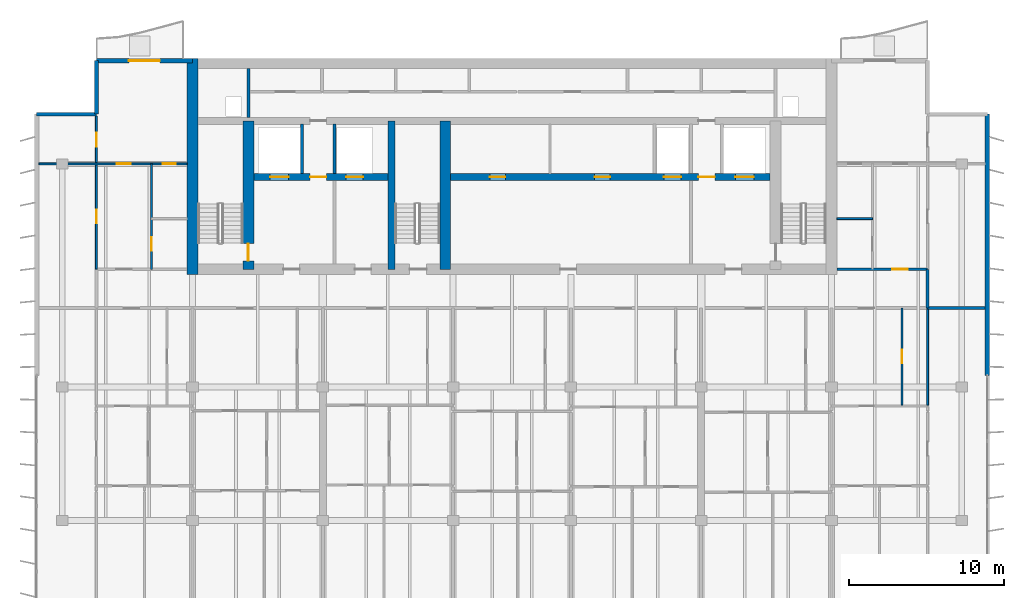
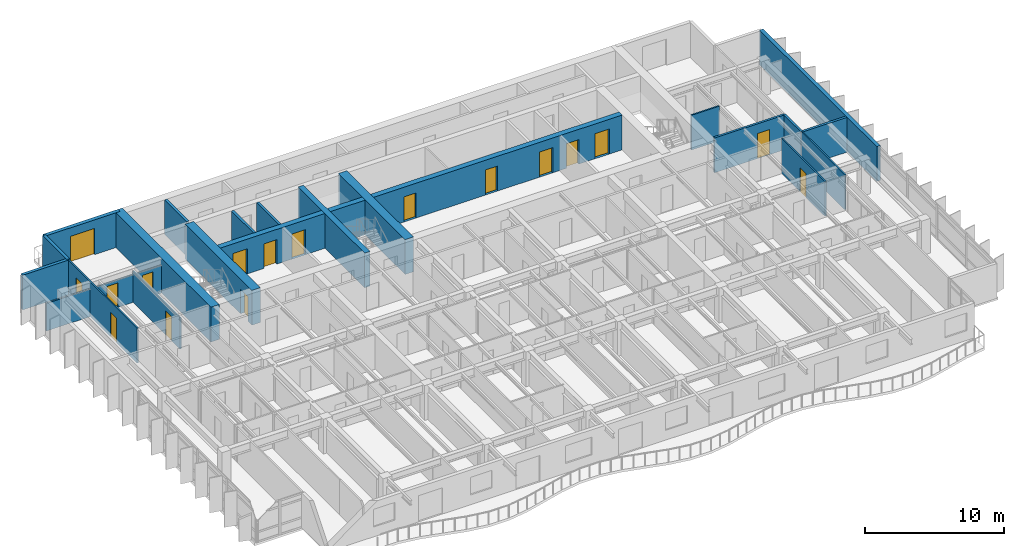
# One storey, part 10 of 17: 21 walls, 17 doors, 17 openings.
"""IFC4 building model written with IfcOpenShell, lengths in metres."""

import ifcopenshell
import ifcopenshell.guid

model = None  # the IFC model being written
_history = None  # IfcOwnerHistory: only IFC2X3 demands one
_inside = {}  # id of a spatial element -> (the spatial element, [elements in it])
_under = {}  # id of a project, library or spatial element -> (it, [spatial elements below it])
_declared = {}  # id of a project -> (the project, [libraries it declares])
_typed = {}  # id of a type object -> (the type object, [elements of that type])
_made_of = {}  # id of a material, layer set ... -> (it, [elements and type objects made of it])


def new_model(schema):
    """Start an empty IFC model of exactly this schema.

    Asked for "IFC4X3", IfcOpenShell would pick the latest addendum, in which some entities
    have other attributes; the version numbers below select the first issue.
    IFC2X3 requires an IfcOwnerHistory on every rooted entity: one is made here for all.
    """
    global model, _history
    if schema == "IFC4X3":
        model = ifcopenshell.file(schema_version=(4, 3, 0, 0))
    else:
        model = ifcopenshell.file(schema=schema)
    _inside.clear()
    _under.clear()
    _declared.clear()
    _typed.clear()
    _made_of.clear()
    _history = None
    if model.schema == "IFC2X3":
        org = make("IfcOrganization", Name="unknown")
        user = make(
            "IfcPersonAndOrganization",
            ThePerson=make("IfcPerson", FamilyName="unknown"),
            TheOrganization=org,
        )
        app = make(
            "IfcApplication",
            ApplicationDeveloper=org,
            Version="unknown",
            ApplicationFullName="unknown",
            ApplicationIdentifier="unknown",
        )
        _history = make(
            "IfcOwnerHistory",
            OwningUser=user,
            OwningApplication=app,
            ChangeAction="ADDED",
            CreationDate=0,
        )
    return model


def make(cls, **values):
    """One entity of the class cls with the attributes given. An attribute that is None is left unset."""
    return model.create_entity(
        cls, **{name: value for name, value in values.items() if value is not None}
    )


def rooted(cls, **values):
    """An entity with a GlobalId (a new one), such as an element, a storey or a relation."""
    return make(cls, GlobalId=ifcopenshell.guid.new(), OwnerHistory=_history, **values)


def si_unit(unit_type, name, prefix=None):
    """IfcSIUnit, for example si_unit("LENGTHUNIT", "METRE", prefix="MILLI")."""
    return make("IfcSIUnit", UnitType=unit_type, Prefix=prefix, Name=name)


def assignment(units):
    """IfcUnitAssignment: the units of a project."""
    return None if units is None else make("IfcUnitAssignment", Units=units)


def point(xyz):
    """IfcCartesianPoint."""
    return None if xyz is None else make("IfcCartesianPoint", Coordinates=xyz)


def direction(xyz):
    """IfcDirection."""
    return None if xyz is None else make("IfcDirection", DirectionRatios=xyz)


def frame(location, z_axis=None, x_axis=None):
    """IfcAxis2Placement3D, a coordinate frame: its origin and axes. An axis left out is left unset."""
    return make(
        "IfcAxis2Placement3D",
        Location=point(location),
        Axis=direction(z_axis),
        RefDirection=direction(x_axis),
    )


def frame_2d(location, x_axis=None):
    """IfcAxis2Placement2D, a coordinate frame in the plane: its origin and x axis."""
    return make(
        "IfcAxis2Placement2D", Location=point(location), RefDirection=direction(x_axis)
    )


def origin():
    """The frame at (0, 0, 0) with its axes left unset."""
    return frame((0.0, 0.0, 0.0))


def place(relative_to, where):
    """IfcLocalPlacement: puts the frame where relative to a parent placement (None: the world)."""
    return make(
        "IfcLocalPlacement", PlacementRelTo=relative_to, RelativePlacement=where
    )


def context(
    kind, dimensions, precision=None, world=None, true_north=None, identifier=None
):
    """IfcGeometricRepresentationContext, for example the 3D "Model" context."""
    return make(
        "IfcGeometricRepresentationContext",
        ContextIdentifier=identifier,
        ContextType=kind,
        CoordinateSpaceDimension=dimensions,
        Precision=precision,
        WorldCoordinateSystem=world,
        TrueNorth=true_north,
    )


def subcontext(parent, identifier, kind, view, scale=None):
    """IfcGeometricRepresentationSubContext, for example "Body" below "Model"."""
    return make(
        "IfcGeometricRepresentationSubContext",
        ContextIdentifier=identifier,
        ContextType=kind,
        ParentContext=parent,
        TargetScale=scale,
        TargetView=view,
    )


def project(units=None, contexts=None):
    """IfcProject with its units and contexts."""
    return rooted(
        "IfcProject",
        Name="project",
        RepresentationContexts=contexts,
        UnitsInContext=assignment(units),
    )


def spatial(cls, under=None, at=None, **own):
    """A site, building, storey or space (cls), placed at a placement, below another one or the project."""
    s = rooted(cls, ObjectPlacement=at, **own)
    if under is not None:
        _under.setdefault(under.id(), (under, []))[1].append(s)
    return s


def profile(cls, at=None, kind="AREA", **sizes):
    """A parametric profile (cls). Its sizes go by their IFC names, for example OverallWidth=200.0."""
    return make(cls, ProfileType=kind, Position=at, **sizes)


def rectangle(**sizes):
    """IfcRectangleProfileDef."""
    return profile("IfcRectangleProfileDef", **sizes)


def extrude(swept, where, along, depth):
    """IfcExtrudedAreaSolid: the profile swept, set in the frame where, extruded along a direction by depth."""
    return make(
        "IfcExtrudedAreaSolid",
        SweptArea=swept,
        Position=where,
        ExtrudedDirection=direction(along),
        Depth=depth,
    )


def shape(context_of_items, identifier, shape_type, items):
    """IfcShapeRepresentation: the items that make up one representation, for example the "Body"."""
    return make(
        "IfcShapeRepresentation",
        ContextOfItems=context_of_items,
        RepresentationIdentifier=identifier,
        RepresentationType=shape_type,
        Items=items,
    )


def material(Name=None, Category=None):
    """IfcMaterial."""
    return make("IfcMaterial", Name=Name, Category=Category)


def layer(
    of_material, thickness, ventilated=None, Name=None, Category=None, Priority=None
):
    """IfcMaterialLayer: one layer of a wall or slab, of a material (None: an air gap)."""
    return make(
        "IfcMaterialLayer",
        Material=of_material,
        LayerThickness=thickness,
        IsVentilated=ventilated,
        Name=Name,
        Category=Category,
        Priority=Priority,
    )


def layer_set(layers, Name=None):
    """IfcMaterialLayerSet."""
    return make("IfcMaterialLayerSet", MaterialLayers=layers, LayerSetName=Name)


def made_of(thing, what):
    """Note that an element or type object is made of a material, layer set ...; save() writes the relation."""
    if what is not None:
        _made_of.setdefault(what.id(), (what, []))[1].append(thing)
    return thing


def type_object(cls, material=None, **own):
    """A type object (cls), such as IfcWallType, which elements share."""
    return made_of(rooted(cls, **own), material)


def element(
    cls,
    number,
    at=None,
    inside=None,
    cuts=None,
    type_object=None,
    material=None,
    context=None,
    identifier="Body",
    shape_type=None,
    held_by="IfcProductDefinitionShape",
    body=None,
    shapes=None,
    **own,
):
    """One element of the class cls, such as IfcWall. Its Tag is "e" and its number.

    at: its placement. inside: the storey or other place that contains it. cuts: it is an
    opening in that element (IfcRelVoidsElement). A single representation is given by context,
    identifier, shape_type and body (its items); several are given by shapes. held_by: the class
    of the entity that holds the representations. save() writes the other relations.
    """
    e = rooted(cls, Tag="e%d" % number, ObjectPlacement=at, **own)
    if body is not None:
        shapes = [shape(context, identifier, shape_type, body)]
    if shapes is not None:
        e.Representation = make(held_by, Representations=shapes)
    if inside is not None:
        _inside.setdefault(inside.id(), (inside, []))[1].append(e)
    if cuts is not None:
        rooted(
            "IfcRelVoidsElement", RelatingBuildingElement=cuts, RelatedOpeningElement=e
        )
    if type_object is not None:
        _typed.setdefault(type_object.id(), (type_object, []))[1].append(e)
    return made_of(e, material)


def fill(opening, filler):
    """IfcRelFillsElement: the door or window that sits in an opening."""
    return rooted(
        "IfcRelFillsElement",
        RelatingOpeningElement=opening,
        RelatedBuildingElement=filler,
    )


def aggregate(whole, parts):
    """IfcRelAggregates: a whole, such as a stair, and the parts it consists of."""
    return rooted("IfcRelAggregates", RelatingObject=whole, RelatedObjects=parts)


def save(model, path):
    """Write the relations noted so far, then the file.

    IfcRelAggregates (storeys below a building ...), IfcRelContainedInSpatialStructure (elements
    in a storey), IfcRelDefinesByType, IfcRelAssociatesMaterial and IfcRelDeclares: one each for
    every whole, place, type object, material and project.
    """
    for whole, parts in _under.values():
        aggregate(whole, parts)
    for where, things in _inside.values():
        rooted(
            "IfcRelContainedInSpatialStructure",
            RelatedElements=things,
            RelatingStructure=where,
        )
    for kind, things in _typed.values():
        rooted("IfcRelDefinesByType", RelatedObjects=things, RelatingType=kind)
    for what, things in _made_of.values():
        rooted("IfcRelAssociatesMaterial", RelatedObjects=things, RelatingMaterial=what)
    for by, libraries in _declared.values():
        rooted("IfcRelDeclares", RelatingContext=by, RelatedDefinitions=libraries)
    model.write(path)


model = new_model("IFC4")

# Units and contexts
model_context = context("Model", 3, precision=1e-05, world=origin(), true_north=direction((0.0, 1.0)))
body_context = subcontext(model_context, "Body", "Model", "MODEL_VIEW")
ifc_project = project(units=[si_unit("LENGTHUNIT", "METRE"), si_unit("AREAUNIT", "SQUARE_METRE"), si_unit("VOLUMEUNIT", "CUBIC_METRE"), si_unit("PLANEANGLEUNIT", "RADIAN"), si_unit("MASSUNIT", "GRAM", prefix="KILO")], contexts=[model_context])

# Site, building, storey
site_placement = place(None, origin())
site = spatial("IfcSite", under=ifc_project, at=site_placement, CompositionType="ELEMENT")
building_placement = place(site_placement, origin())
building = spatial("IfcBuilding", under=site, at=building_placement, Name="Caelmar Bay Residences", CompositionType="ELEMENT")
storey_placement = place(building_placement, frame((0.0, 0.0, 229.800048828125)))
storey = spatial("IfcBuildingStorey", under=building, at=storey_placement, Name="L64", CompositionType="ELEMENT", Elevation=229.800048828125)

# Wall
ifc_material_1 = material(Name="Concrete f'c 55 MPa (8,000 psi)", Category="concrete")
ifc_layer_1 = layer(ifc_material_1, 0.699951171875)
ifc_layer_set_1 = layer_set([ifc_layer_1], Name="Concrete f'c 55 MPa (8,000 psi)")
wall_type_1 = type_object("IfcWallType", Name="SW-COR-700", PredefinedType="SHEAR", material=ifc_layer_set_1)
wall_1_placement = place(storey_placement, frame((18.300048828125, 36.64990234375, 0.0), z_axis=(0.0, 0.0, 1.0), x_axis=(0.0, 1.0, 0.0)))
element("IfcWall", 1, at=wall_1_placement, inside=storey, type_object=wall_type_1, Name="L64 Rear Core West Shear Wall", PredefinedType="SHEAR", context=body_context, shape_type="SweptSolid", body=[
    extrude(rectangle(XDim=13.9501953125, YDim=0.699951171875, at=frame_2d((6.97509765625, 0.0))), origin(), (0.0, 0.0, 1.0), 3.050048828125),
])

# Wall, opening, door
wall_2_placement = place(storey_placement, frame((21.89990234375, 37.0, 0.0), z_axis=(0.0, 0.0, 1.0), x_axis=(0.0, 1.0, 0.0)))
wall_2 = element("IfcWall", 2, at=wall_2_placement, inside=storey, type_object=wall_type_1, Name="L64 Core Structural Web Wall ST1E", PredefinedType="SHEAR", context=body_context, shape_type="SweptSolid", body=[
    extrude(rectangle(XDim=9.574951171875, YDim=0.699951171875, at=frame_2d((4.78759765625, 0.0))), origin(), (0.0, 0.0, 1.0), 3.050048828125),
])
opening_1_placement = place(wall_2_placement, frame((0.550048828125, 0.0, 0.0)))
opening_1 = element("IfcOpeningElement", 3, at=opening_1_placement, cuts=wall_2, Name="Opening D-L64-107", PredefinedType="OPENING", context=body_context, shape_type="SweptSolid", body=[
    extrude(rectangle(XDim=1.10009765625, YDim=2.14990234375, at=frame_2d((0.550048828125, 1.074951171875))), frame((0.0, 0.35986328125, 0.0), z_axis=(0.0, -1.0, 0.0), x_axis=(1.0, 0.0, 0.0)), (0.0, 0.0, 1.0), 0.719970703125),
])
ifc_material_2 = material(Name="Fire-rated steel and walnut architectural door assembly", Category="steel")
ifc_layer_2 = layer(ifc_material_2, 0.050048828125)
ifc_layer_set_2 = layer_set([ifc_layer_2], Name="Fire-rated steel and walnut architectural door assembly")
door_type_1 = type_object("IfcDoorType", Name="D-STAIR-1100", OperationType="NOTDEFINED", PredefinedType="DOOR", material=ifc_layer_set_2)
door_1_placement = place(opening_1_placement, origin())
door_1 = element("IfcDoor", 4, at=door_1_placement, inside=storey, type_object=door_type_1, Name="L64 Firefighting Lobby West Door", OperationType="SINGLE_SWING_RIGHT", OverallHeight=2.14990234375, OverallWidth=1.10009765625, PredefinedType="DOOR", context=body_context, shape_type="SweptSolid", body=[
    extrude(rectangle(XDim=1.10009765625, YDim=2.14990234375, at=frame_2d((0.550048828125, 1.074951171875))), frame((0.0, 0.02490234375, 0.0), z_axis=(0.0, -1.0, 0.0), x_axis=(1.0, 0.0, 0.0)), (0.0, 0.0, 1.0), 0.050048828125),
])
fill(opening_1, door_1)

# Walls
wall_3_placement = place(storey_placement, frame((34.60009765625, 37.0, 0.0), z_axis=(0.0, 0.0, 1.0), x_axis=(0.0, 1.0, 0.0)))
element("IfcWall", 5, at=wall_3_placement, inside=storey, type_object=wall_type_1, Name="L64 Core Structural Web Wall ST3E", PredefinedType="SHEAR", context=body_context, shape_type="SweptSolid", body=[
    extrude(rectangle(XDim=9.574951171875, YDim=0.699951171875, at=frame_2d((4.78759765625, 0.0))), origin(), (0.0, 0.0, 1.0), 3.050048828125),
])
ifc_material_3 = material(Name="Concrete f'c 70 MPa (10,000 psi)", Category="concrete")
ifc_layer_3 = layer(ifc_material_3, 0.449951171875)
ifc_layer_set_3 = layer_set([ifc_layer_3], Name="Concrete f'c 70 MPa (10,000 psi)")
wall_type_2 = type_object("IfcWallType", Name="SW-WEB-450", PredefinedType="SHEAR", material=ifc_layer_set_3)
wall_4_placement = place(storey_placement, frame((31.125, 37.0, 0.0), z_axis=(0.0, 0.0, 1.0), x_axis=(0.0, 1.0, 0.0)))
element("IfcWall", 6, at=wall_4_placement, inside=storey, type_object=wall_type_2, Name="L64 Core Structural Web Wall ST3W", PredefinedType="SHEAR", context=body_context, shape_type="SweptSolid", body=[
    extrude(rectangle(XDim=9.574951171875, YDim=0.449951171875, at=frame_2d((4.78759765625, 0.0))), origin(), (0.0, 0.0, 1.0), 3.050048828125),
])

# Wall, openings, doors
wall_5_placement = place(storey_placement, frame((22.25, 42.949951171875, 0.0), z_axis=(0.0, 0.0, 1.0), x_axis=(1.0, 0.0, 0.0)))
wall_5 = element("IfcWall", 7, at=wall_5_placement, inside=storey, type_object=wall_type_2, Name="L64 Core Structural Web Wall LFR", PredefinedType="SHEAR", context=body_context, shape_type="SweptSolid", body=[
    extrude(rectangle(XDim=33.300048828125, YDim=0.449951171875, at=frame_2d((16.64990234375, 0.0))), origin(), (0.0, 0.0, 1.0), 3.050048828125),
])
opening_2_placement = place(wall_5_placement, frame((1.050048828125, 0.0, 0.0)))
opening_2 = element("IfcOpeningElement", 8, at=opening_2_placement, cuts=wall_5, Name="Opening LD2", PredefinedType="OPENING", context=body_context, shape_type="SweptSolid", body=[
    extrude(rectangle(XDim=1.199951171875, YDim=2.199951171875, at=frame_2d((0.60009765625, 1.10009765625))), frame((0.0, 0.23486328125, 0.0), z_axis=(0.0, -1.0, 0.0), x_axis=(1.0, 0.0, 0.0)), (0.0, 0.0, 1.0), 0.469970703125),
])
opening_3_placement = place(wall_5_placement, frame((31.050048828125, 0.0, 0.0)))
opening_3 = element("IfcOpeningElement", 9, at=opening_3_placement, cuts=wall_5, Name="Opening LD2", PredefinedType="OPENING", context=body_context, shape_type="SweptSolid", body=[
    extrude(rectangle(XDim=1.199951171875, YDim=2.199951171875, at=frame_2d((0.60009765625, 1.10009765625))), frame((0.0, 0.23486328125, 0.0), z_axis=(0.0, -1.0, 0.0), x_axis=(1.0, 0.0, 0.0)), (0.0, 0.0, 1.0), 0.469970703125),
])
opening_4_placement = place(wall_5_placement, frame((26.449951171875, 0.0, 0.0)))
opening_4 = element("IfcOpeningElement", 10, at=opening_4_placement, cuts=wall_5, Name="Opening LD1", PredefinedType="OPENING", context=body_context, shape_type="SweptSolid", body=[
    extrude(rectangle(XDim=1.10009765625, YDim=2.199951171875, at=frame_2d((0.550048828125, 1.10009765625))), frame((0.0, 0.23486328125, 0.0), z_axis=(0.0, -1.0, 0.0), x_axis=(1.0, 0.0, 0.0)), (0.0, 0.0, 1.0), 0.469970703125),
])
opening_5_placement = place(wall_5_placement, frame((5.949951171875, 0.0, 0.0)))
opening_5 = element("IfcOpeningElement", 11, at=opening_5_placement, cuts=wall_5, Name="Opening LD1", PredefinedType="OPENING", context=body_context, shape_type="SweptSolid", body=[
    extrude(rectangle(XDim=1.10009765625, YDim=2.199951171875, at=frame_2d((0.550048828125, 1.10009765625))), frame((0.0, 0.23486328125, 0.0), z_axis=(0.0, -1.0, 0.0), x_axis=(1.0, 0.0, 0.0)), (0.0, 0.0, 1.0), 0.469970703125),
])
opening_6_placement = place(wall_5_placement, frame((3.625, 0.0, 0.0)))
opening_6 = element("IfcOpeningElement", 12, at=opening_6_placement, cuts=wall_5, Name="Opening D-L64-108", PredefinedType="OPENING", context=body_context, shape_type="SweptSolid", body=[
    extrude(rectangle(XDim=1.050048828125, YDim=2.14990234375, at=frame_2d((0.52490234375, 1.074951171875))), frame((0.0, 0.23486328125, 0.0), z_axis=(0.0, -1.0, 0.0), x_axis=(1.0, 0.0, 0.0)), (0.0, 0.0, 1.0), 0.469970703125),
])
opening_7_placement = place(wall_5_placement, frame((28.675048828125, 0.0, 0.0)))
opening_7 = element("IfcOpeningElement", 13, at=opening_7_placement, cuts=wall_5, Name="Opening D-L64-111", PredefinedType="OPENING", context=body_context, shape_type="SweptSolid", body=[
    extrude(rectangle(XDim=1.050048828125, YDim=2.14990234375, at=frame_2d((0.52490234375, 1.074951171875))), frame((0.0, 0.23486328125, 0.0), z_axis=(0.0, -1.0, 0.0), x_axis=(1.0, 0.0, 0.0)), (0.0, 0.0, 1.0), 0.469970703125),
])
opening_8_placement = place(wall_5_placement, frame((15.22509765625, 0.0, 0.0)))
opening_8 = element("IfcOpeningElement", 14, at=opening_8_placement, cuts=wall_5, Name="Opening D-L64-114", PredefinedType="OPENING", context=body_context, shape_type="SweptSolid", body=[
    extrude(rectangle(XDim=1.0, YDim=2.199951171875, at=frame_2d((0.5, 1.10009765625))), frame((0.0, 0.23486328125, 0.0), z_axis=(0.0, -1.0, 0.0), x_axis=(1.0, 0.0, 0.0)), (0.0, 0.0, 1.0), 0.469970703125),
])
opening_9_placement = place(wall_5_placement, frame((21.97509765625, 0.0, 0.0)))
opening_9 = element("IfcOpeningElement", 15, at=opening_9_placement, cuts=wall_5, Name="Opening D-L64-115", PredefinedType="OPENING", context=body_context, shape_type="SweptSolid", body=[
    extrude(rectangle(XDim=1.0, YDim=2.199951171875, at=frame_2d((0.5, 1.10009765625))), frame((0.0, 0.23486328125, 0.0), z_axis=(0.0, -1.0, 0.0), x_axis=(1.0, 0.0, 0.0)), (0.0, 0.0, 1.0), 0.469970703125),
])
ifc_layer_4 = layer(ifc_material_2, 0.050048828125)
ifc_layer_set_4 = layer_set([ifc_layer_4], Name="Fire-rated steel and walnut architectural door assembly")
door_type_2 = type_object("IfcDoorType", Name="D-FSAE-1050", OperationType="NOTDEFINED", PredefinedType="DOOR", material=ifc_layer_set_4)
door_2_placement = place(opening_6_placement, origin())
door_2 = element("IfcDoor", 16, at=door_2_placement, inside=storey, type_object=door_type_2, Name="L64 Firefighting Lobby West Door", OperationType="SINGLE_SWING_LEFT", OverallHeight=2.14990234375, OverallWidth=1.050048828125, PredefinedType="DOOR", context=body_context, shape_type="SweptSolid", body=[
    extrude(rectangle(XDim=1.050048828125, YDim=2.14990234375, at=frame_2d((0.52490234375, 1.074951171875))), frame((0.0, 0.02490234375, 0.0), z_axis=(0.0, -1.0, 0.0), x_axis=(1.0, 0.0, 0.0)), (0.0, 0.0, 1.0), 0.050048828125),
])
fill(opening_6, door_2)
door_3_placement = place(opening_7_placement, origin())
door_3 = element("IfcDoor", 17, at=door_3_placement, inside=storey, type_object=door_type_2, Name="L64 Firefighting Lobby East Door", OperationType="SINGLE_SWING_RIGHT", OverallHeight=2.14990234375, OverallWidth=1.050048828125, PredefinedType="DOOR", context=body_context, shape_type="SweptSolid", body=[
    extrude(rectangle(XDim=1.050048828125, YDim=2.14990234375, at=frame_2d((0.52490234375, 1.074951171875))), frame((0.0, 0.02490234375, 0.0), z_axis=(0.0, -1.0, 0.0), x_axis=(1.0, 0.0, 0.0)), (0.0, 0.0, 1.0), 0.050048828125),
])
fill(opening_7, door_3)
ifc_material_4 = material(Name="Brushed bronze stainless-steel fire-rated lift landing doors", Category="steel")
ifc_layer_5 = layer(ifc_material_4, 0.050048828125)
ifc_layer_set_5 = layer_set([ifc_layer_5], Name="Brushed bronze stainless-steel fire-rated lift landing doors")
door_type_3 = type_object("IfcDoorType", Name="D-LND-1100", OperationType="DOUBLE_DOOR_SLIDING", PredefinedType="DOOR", material=ifc_layer_set_5)
door_4_placement = place(opening_4_placement, origin())
door_4 = element("IfcDoor", 18, at=door_4_placement, inside=storey, type_object=door_type_3, Name="L64 LP6 Sliding Landing Door", OperationType="DOUBLE_DOOR_SLIDING", OverallHeight=2.199951171875, OverallWidth=1.10009765625, PredefinedType="DOOR", context=body_context, shape_type="SweptSolid", body=[
    extrude(rectangle(XDim=1.10009765625, YDim=2.199951171875, at=frame_2d((0.550048828125, 1.10009765625))), frame((0.0, 0.02490234375, 0.0), z_axis=(0.0, -1.0, 0.0), x_axis=(1.0, 0.0, 0.0)), (0.0, 0.0, 1.0), 0.050048828125),
])
fill(opening_4, door_4)
door_5_placement = place(opening_5_placement, origin())
door_5 = element("IfcDoor", 19, at=door_5_placement, inside=storey, type_object=door_type_3, Name="L64 LP7 Sliding Landing Door", OperationType="DOUBLE_DOOR_SLIDING", OverallHeight=2.199951171875, OverallWidth=1.10009765625, PredefinedType="DOOR", context=body_context, shape_type="SweptSolid", body=[
    extrude(rectangle(XDim=1.10009765625, YDim=2.199951171875, at=frame_2d((0.550048828125, 1.10009765625))), frame((0.0, 0.02490234375, 0.0), z_axis=(0.0, -1.0, 0.0), x_axis=(1.0, 0.0, 0.0)), (0.0, 0.0, 1.0), 0.050048828125),
])
fill(opening_5, door_5)
ifc_material_5 = material(Name="Brushed stainless-steel FSAE sliding landing door", Category="steel")
ifc_layer_6 = layer(ifc_material_5, 0.050048828125)
ifc_layer_set_6 = layer_set([ifc_layer_6], Name="Brushed stainless-steel FSAE sliding landing door")
door_type_4 = type_object("IfcDoorType", Name="D-LND-1200", OperationType="DOUBLE_DOOR_SLIDING", PredefinedType="DOOR", material=ifc_layer_set_6)
door_6_placement = place(opening_2_placement, origin())
door_6 = element("IfcDoor", 20, at=door_6_placement, inside=storey, type_object=door_type_4, Name="L64 LF1 Sliding Landing Door", OperationType="DOUBLE_DOOR_SLIDING", OverallHeight=2.199951171875, OverallWidth=1.199951171875, PredefinedType="DOOR", context=body_context, shape_type="SweptSolid", body=[
    extrude(rectangle(XDim=1.199951171875, YDim=2.199951171875, at=frame_2d((0.60009765625, 1.10009765625))), frame((0.0, 0.02490234375, 0.0), z_axis=(0.0, -1.0, 0.0), x_axis=(1.0, 0.0, 0.0)), (0.0, 0.0, 1.0), 0.050048828125),
])
fill(opening_2, door_6)
door_7_placement = place(opening_3_placement, origin())
door_7 = element("IfcDoor", 21, at=door_7_placement, inside=storey, type_object=door_type_4, Name="L64 LF2 Sliding Landing Door", OperationType="DOUBLE_DOOR_SLIDING", OverallHeight=2.199951171875, OverallWidth=1.199951171875, PredefinedType="DOOR", context=body_context, shape_type="SweptSolid", body=[
    extrude(rectangle(XDim=1.199951171875, YDim=2.199951171875, at=frame_2d((0.60009765625, 1.10009765625))), frame((0.0, 0.02490234375, 0.0), z_axis=(0.0, -1.0, 0.0), x_axis=(1.0, 0.0, 0.0)), (0.0, 0.0, 1.0), 0.050048828125),
])
fill(opening_3, door_7)
ifc_layer_7 = layer(ifc_material_2, 0.050048828125)
ifc_layer_set_7 = layer_set([ifc_layer_7], Name="Fire-rated steel and walnut architectural door assembly")
door_type_5 = type_object("IfcDoorType", Name="D-UNIT-1000", OperationType="NOTDEFINED", PredefinedType="DOOR", material=ifc_layer_set_7)
door_8_placement = place(opening_8_placement, origin())
door_8 = element("IfcDoor", 22, at=door_8_placement, inside=storey, type_object=door_type_5, Name="L64 Music Study Room Door", OperationType="SINGLE_SWING_LEFT", OverallHeight=2.199951171875, OverallWidth=1.0, PredefinedType="DOOR", context=body_context, shape_type="SweptSolid", body=[
    extrude(rectangle(XDim=1.0, YDim=2.199951171875, at=frame_2d((0.5, 1.10009765625))), frame((0.0, 0.02490234375, 0.0), z_axis=(0.0, -1.0, 0.0), x_axis=(1.0, 0.0, 0.0)), (0.0, 0.0, 1.0), 0.050048828125),
])
fill(opening_8, door_8)
door_9_placement = place(opening_9_placement, origin())
door_9 = element("IfcDoor", 23, at=door_9_placement, inside=storey, type_object=door_type_5, Name="L64 Board Meeting Room Door", OperationType="SINGLE_SWING_RIGHT", OverallHeight=2.199951171875, OverallWidth=1.0, PredefinedType="DOOR", context=body_context, shape_type="SweptSolid", body=[
    extrude(rectangle(XDim=1.0, YDim=2.199951171875, at=frame_2d((0.5, 1.10009765625))), frame((0.0, 0.02490234375, 0.0), z_axis=(0.0, -1.0, 0.0), x_axis=(1.0, 0.0, 0.0)), (0.0, 0.0, 1.0), 0.050048828125),
])
fill(opening_9, door_9)

# Wall
ifc_material_6 = material(Name="Double-stud acoustic fire-rated gypsum partition 180 mm")
ifc_layer_8 = layer(ifc_material_6, 0.179931640625)
ifc_layer_set_8 = layer_set([ifc_layer_8], Name="Double-stud acoustic fire-rated gypsum partition 180 mm")
wall_type_3 = type_object("IfcWallType", Name="W-COR-200", PredefinedType="PARTITIONING", material=ifc_layer_set_8)
wall_6_placement = place(storey_placement, frame((65.699951171875, 34.5048828125, 0.0), z_axis=(0.0, 0.0, 1.0), x_axis=(0.0, 1.0, 0.0)))
element("IfcWall", 24, at=wall_6_placement, inside=storey, type_object=wall_type_3, Name="L64 Partition Wall V100", PredefinedType="PARTITIONING", context=body_context, shape_type="SweptSolid", body=[
    extrude(rectangle(XDim=2.4951171875, YDim=0.179931640625, at=frame_2d((1.24755859375, 0.0))), origin(), (0.0, 0.0, 1.0), 3.050048828125),
])

# Wall, opening, door
wall_7_placement = place(storey_placement, frame((59.85498046875, 37.0, 0.0), z_axis=(0.0, 0.0, 1.0), x_axis=(1.0, 0.0, 0.0)))
wall_7 = element("IfcWall", 25, at=wall_7_placement, inside=storey, type_object=wall_type_3, Name="L64 Partition Wall H126", PredefinedType="PARTITIONING", context=body_context, shape_type="SweptSolid", body=[
    extrude(rectangle(XDim=5.844970703125, YDim=0.179931640625, at=frame_2d((2.92236328125, 0.0))), origin(), (0.0, 0.0, 1.0), 3.050048828125),
])
opening_10_placement = place(wall_7_placement, frame((3.570068359375, 0.0, 0.0)))
opening_10 = element("IfcOpeningElement", 26, at=opening_10_placement, cuts=wall_7, Name="Opening D-L64-175", PredefinedType="OPENING", context=body_context, shape_type="SweptSolid", body=[
    extrude(rectangle(XDim=1.0, YDim=2.199951171875, at=frame_2d((0.5, 1.10009765625))), frame((0.0, 0.099853515625, 0.0), z_axis=(0.0, -1.0, 0.0), x_axis=(1.0, 0.0, 0.0)), (0.0, 0.0, 1.0), 0.199951171875),
])
door_10_placement = place(opening_10_placement, origin())
door_10 = element("IfcDoor", 27, at=door_10_placement, inside=storey, type_object=door_type_5, Name="L64 Residence EA Kitchen Door", OperationType="SINGLE_SWING_RIGHT", OverallHeight=2.199951171875, OverallWidth=1.0, PredefinedType="DOOR", context=body_context, shape_type="SweptSolid", body=[
    extrude(rectangle(XDim=1.0, YDim=2.199951171875, at=frame_2d((0.5, 1.10009765625))), frame((0.0, 0.02490234375, 0.0), z_axis=(0.0, -1.0, 0.0), x_axis=(1.0, 0.0, 0.0)), (0.0, 0.0, 1.0), 0.050048828125),
])
fill(opening_10, door_10)

# Walls
ifc_material_7 = material(Name="Precast concrete f'c 40 MPa (6,000 psi)", Category="concrete")
ifc_layer_9 = layer(ifc_material_7, 0.25)
ifc_layer_set_9 = layer_set([ifc_layer_9], Name="Precast concrete f'c 40 MPa (6,000 psi)")
wall_type_4 = type_object("IfcWallType", Name="W-EXT-250", PredefinedType="ELEMENTEDWALL", material=ifc_layer_set_9)
wall_8_placement = place(storey_placement, frame((8.25, 47.0, 0.0), z_axis=(0.0, 0.0, 1.0), x_axis=(1.0, 0.0, 0.0)))
element("IfcWall", 28, at=wall_8_placement, inside=storey, type_object=wall_type_4, Name="L64 NNW-H Notch Wall", PredefinedType="ELEMENTEDWALL", context=body_context, shape_type="SweptSolid", body=[
    extrude(rectangle(XDim=3.85009765625, YDim=0.25, at=frame_2d((1.925048828125, 0.0))), origin(), (0.0, 0.0, 1.0), 3.050048828125),
])
wall_9_placement = place(storey_placement, frame((12.10009765625, 47.0, 0.0), z_axis=(0.0, 0.0, 1.0), x_axis=(0.0, 1.0, 0.0)))
element("IfcWall", 29, at=wall_9_placement, inside=storey, type_object=wall_type_4, Name="L64 NNW-V Notch Wall", PredefinedType="ELEMENTEDWALL", context=body_context, shape_type="SweptSolid", body=[
    extrude(rectangle(XDim=3.449951171875, YDim=0.25, at=frame_2d((1.72509765625, 0.0))), origin(), (0.0, 0.0, 1.0), 3.050048828125),
])
ifc_layer_10 = layer(ifc_material_7, 0.300048828125)
ifc_layer_set_10 = layer_set([ifc_layer_10], Name="Precast concrete f'c 40 MPa (6,000 psi)")
wall_type_5 = type_object("IfcWallType", Name="W-EXT-300", PredefinedType="STANDARD", material=ifc_layer_set_10)
wall_10_placement = place(storey_placement, frame((69.550048828125, 47.0, 0.0), z_axis=(0.0, 0.0, 1.0), x_axis=(0.0, -1.0, 0.0)))
element("IfcWall", 30, at=wall_10_placement, inside=storey, type_object=wall_type_5, Name="L64 East Rear Exterior Wall", PredefinedType="STANDARD", context=body_context, shape_type="SweptSolid", body=[
    extrude(rectangle(XDim=16.85009765625, YDim=0.300048828125, at=frame_2d((8.425048828125, 0.0))), origin(), (0.0, 0.0, 1.0), 3.050048828125),
])

# Wall, opening, door
wall_11_placement = place(storey_placement, frame((12.10009765625, 50.449951171875, 0.0), z_axis=(0.0, 0.0, 1.0), x_axis=(1.0, 0.0, 0.0)))
wall_11 = element("IfcWall", 31, at=wall_11_placement, inside=storey, type_object=wall_type_5, Name="L64 North-West Wing Exterior Wall", PredefinedType="STANDARD", context=body_context, shape_type="SweptSolid", body=[
    extrude(rectangle(XDim=6.199951171875, YDim=0.300048828125, at=frame_2d((3.10009765625, 0.0))), origin(), (0.0, 0.0, 1.0), 3.050048828125),
])
opening_11_placement = place(wall_11_placement, frame((2.10009765625, 0.0, 0.0)))
opening_11 = element("IfcOpeningElement", 32, at=opening_11_placement, cuts=wall_11, Name="Opening L64-BDNW", PredefinedType="OPENING", context=body_context, shape_type="SweptSolid", body=[
    extrude(rectangle(XDim=2.0, YDim=2.300048828125, at=frame_2d((1.0, 1.14990234375))), frame((0.0, 0.159912109375, 0.0), z_axis=(0.0, -1.0, 0.0), x_axis=(1.0, 0.0, 0.0)), (0.0, 0.0, 1.0), 0.320068359375),
])
ifc_material_8 = material(Name="Anodised bronze thermally broken sliding glass door", Category="glass")
ifc_layer_11 = layer(ifc_material_8, 0.050048828125)
ifc_layer_set_11 = layer_set([ifc_layer_11], Name="Anodised bronze thermally broken sliding glass door")
door_type_6 = type_object("IfcDoorType", Name="D-BAL-2000", OperationType="DOUBLE_DOOR_SLIDING", PredefinedType="DOOR", material=ifc_layer_set_11)
door_11_placement = place(opening_11_placement, origin())
door_11 = element("IfcDoor", 33, at=door_11_placement, inside=storey, type_object=door_type_6, Name="L64 North-West Balcony Door", OperationType="DOUBLE_DOOR_SLIDING", OverallHeight=2.300048828125, OverallWidth=2.0, PredefinedType="DOOR", context=body_context, shape_type="SweptSolid", body=[
    extrude(rectangle(XDim=2.0, YDim=2.300048828125, at=frame_2d((1.0, 1.14990234375))), frame((0.0, 0.02490234375, 0.0), z_axis=(0.0, -1.0, 0.0), x_axis=(1.0, 0.0, 0.0)), (0.0, 0.0, 1.0), 0.050048828125),
])
fill(opening_11, door_11)

# Walls
ifc_material_9 = material(Name="Fire-rated masonry and gypsum shaftliner assembly 200 mm", Category="masonry")
ifc_layer_12 = layer(ifc_material_9, 0.199951171875)
ifc_layer_set_12 = layer_set([ifc_layer_12], Name="Fire-rated masonry and gypsum shaftliner assembly 200 mm")
wall_type_6 = type_object("IfcWallType", Name="W-FSAE-200", PredefinedType="PARTITIONING", material=ifc_layer_set_12)
wall_12_placement = place(storey_placement, frame((21.89990234375, 46.794921875, 0.0), z_axis=(0.0, 0.0, 1.0), x_axis=(0.0, 1.0, 0.0)))
element("IfcWall", 34, at=wall_12_placement, inside=storey, type_object=wall_type_6, Name="L64 Partition Wall V021", PredefinedType="PARTITIONING", context=body_context, shape_type="SweptSolid", body=[
    extrude(rectangle(XDim=3.16015625, YDim=0.199951171875, at=frame_2d((1.580078125, 0.0))), origin(), (0.0, 0.0, 1.0), 3.050048828125),
])
for number, where, z_axis, x_axis, name in (
    (35, (25.35009765625, 43.169921875, 0.0), (0.0, 0.0, 1.0), (0.0, 1.0, 0.0), "L64 Partition Wall V028"),
    (36, (27.449951171875, 43.169921875, 0.0), (0.0, 0.0, 1.0), (0.0, 1.0, 0.0), "L64 Partition Wall V034"),
):
    element("IfcWall", number, at=place(storey_placement, frame(where, z_axis=z_axis, x_axis=x_axis)), inside=storey, type_object=wall_type_6, Name=name, PredefinedType="PARTITIONING", context=body_context, shape_type="SweptSolid", body=[
        extrude(rectangle(XDim=3.18505859375, YDim=0.199951171875, at=frame_2d((1.592529296875, 0.0))), origin(), (0.0, 0.0, 1.0), 3.050048828125),
    ])

# Wall, openings, doors
ifc_material_10 = material(Name="Acoustic metal-stud gypsum partition 120 mm")
ifc_layer_13 = layer(ifc_material_10, 0.1201171875)
ifc_layer_set_13 = layer_set([ifc_layer_13], Name="Acoustic metal-stud gypsum partition 120 mm")
wall_type_7 = type_object("IfcWallType", Name="W-PRT-120", PredefinedType="PARTITIONING", material=ifc_layer_set_13)
wall_13_placement = place(storey_placement, frame((12.10009765625, 37.0048828125, 0.0), z_axis=(0.0, 0.0, 1.0), x_axis=(0.0, 1.0, 0.0)))
wall_13 = element("IfcWall", 37, at=wall_13_placement, inside=storey, type_object=wall_type_7, Name="L64 Partition Wall V007", PredefinedType="PARTITIONING", context=body_context, shape_type="SweptSolid", body=[
    extrude(rectangle(XDim=9.875, YDim=0.1201171875, at=frame_2d((4.9375, 0.0))), origin(), (0.0, 0.0, 1.0), 3.050048828125),
])
opening_12_placement = place(wall_13_placement, frame((2.947509765625, 0.0, 0.0)))
opening_12 = element("IfcOpeningElement", 38, at=opening_12_placement, cuts=wall_13, Name="Opening D-L64-173", PredefinedType="OPENING", context=body_context, shape_type="SweptSolid", body=[
    extrude(rectangle(XDim=0.89990234375, YDim=2.14990234375, at=frame_2d((0.449951171875, 1.074951171875))), frame((0.0, 0.070068359375, 0.0), z_axis=(0.0, -1.0, 0.0), x_axis=(1.0, 0.0, 0.0)), (0.0, 0.0, 1.0), 0.14013671875),
])
opening_13_placement = place(wall_13_placement, frame((7.885009765625, 0.0, 0.0)))
opening_13 = element("IfcOpeningElement", 39, at=opening_13_placement, cuts=wall_13, Name="Opening D-L64-174", PredefinedType="OPENING", context=body_context, shape_type="SweptSolid", body=[
    extrude(rectangle(XDim=0.89990234375, YDim=2.14990234375, at=frame_2d((0.449951171875, 1.074951171875))), frame((0.0, 0.070068359375, 0.0), z_axis=(0.0, -1.0, 0.0), x_axis=(1.0, 0.0, 0.0)), (0.0, 0.0, 1.0), 0.14013671875),
])
ifc_material_11 = material(Name="Solid walnut timber interior door leaf and frame", Category="wood")
ifc_layer_14 = layer(ifc_material_11, 0.050048828125)
ifc_layer_set_14 = layer_set([ifc_layer_14], Name="Solid walnut timber interior door leaf and frame")
door_type_7 = type_object("IfcDoorType", Name="D-ROOM-900", OperationType="NOTDEFINED", PredefinedType="DOOR", material=ifc_layer_set_14)
door_12_placement = place(opening_12_placement, origin())
door_12 = element("IfcDoor", 40, at=door_12_placement, inside=storey, type_object=door_type_7, Name="L64 Residence WA Sun Study Door", OperationType="SINGLE_SWING_RIGHT", OverallHeight=2.14990234375, OverallWidth=0.89990234375, PredefinedType="DOOR", context=body_context, shape_type="SweptSolid", body=[
    extrude(rectangle(XDim=0.89990234375, YDim=2.14990234375, at=frame_2d((0.449951171875, 1.074951171875))), frame((0.0, 0.02490234375, 0.0), z_axis=(0.0, -1.0, 0.0), x_axis=(1.0, 0.0, 0.0)), (0.0, 0.0, 1.0), 0.050048828125),
])
fill(opening_12, door_12)
door_13_placement = place(opening_13_placement, origin())
door_13 = element("IfcDoor", 41, at=door_13_placement, inside=storey, type_object=door_type_7, Name="L64 Residence WA North Sitting Alcove Door", OperationType="SINGLE_SWING_LEFT", OverallHeight=2.14990234375, OverallWidth=0.89990234375, PredefinedType="DOOR", context=body_context, shape_type="SweptSolid", body=[
    extrude(rectangle(XDim=0.89990234375, YDim=2.14990234375, at=frame_2d((0.449951171875, 1.074951171875))), frame((0.0, 0.02490234375, 0.0), z_axis=(0.0, -1.0, 0.0), x_axis=(1.0, 0.0, 0.0)), (0.0, 0.0, 1.0), 0.050048828125),
])
fill(opening_13, door_13)

# Wall, opening, door
wall_14_placement = place(storey_placement, frame((15.64990234375, 37.0, 0.0), z_axis=(0.0, 0.0, 1.0), x_axis=(0.0, 1.0, 0.0)))
wall_14 = element("IfcWall", 42, at=wall_14_placement, inside=storey, type_object=wall_type_7, Name="L64 Partition Wall V013", PredefinedType="PARTITIONING", context=body_context, shape_type="SweptSolid", body=[
    extrude(rectangle(XDim=6.800048828125, YDim=0.1201171875, at=frame_2d((3.39990234375, 0.0))), origin(), (0.0, 0.0, 1.0), 2.724853515625),
])
opening_14_placement = place(wall_14_placement, frame((1.20703125, 0.0, 0.0)))
opening_14 = element("IfcOpeningElement", 43, at=opening_14_placement, cuts=wall_14, Name="Opening D-L64-171", PredefinedType="OPENING", context=body_context, shape_type="SweptSolid", body=[
    extrude(rectangle(XDim=0.85009765625, YDim=2.10009765625, at=frame_2d((0.425048828125, 1.050048828125))), frame((0.0, 0.070068359375, 0.0), z_axis=(0.0, -1.0, 0.0), x_axis=(1.0, 0.0, 0.0)), (0.0, 0.0, 1.0), 0.14013671875),
])
ifc_layer_15 = layer(ifc_material_11, 0.050048828125)
ifc_layer_set_15 = layer_set([ifc_layer_15], Name="Solid walnut timber interior door leaf and frame")
door_type_8 = type_object("IfcDoorType", Name="D-BATH-850", OperationType="NOTDEFINED", PredefinedType="DOOR", material=ifc_layer_set_15)
door_14_placement = place(opening_14_placement, origin())
door_14 = element("IfcDoor", 44, at=door_14_placement, inside=storey, type_object=door_type_8, Name="L64 Residence WA Walk-In Closet Door", OperationType="SINGLE_SWING_RIGHT", OverallHeight=2.10009765625, OverallWidth=0.85009765625, PredefinedType="DOOR", context=body_context, shape_type="SweptSolid", body=[
    extrude(rectangle(XDim=0.85009765625, YDim=2.10009765625, at=frame_2d((0.425048828125, 1.050048828125))), frame((0.0, 0.02490234375, 0.0), z_axis=(0.0, -1.0, 0.0), x_axis=(1.0, 0.0, 0.0)), (0.0, 0.0, 1.0), 0.050048828125),
])
fill(opening_14, door_14)

wall_15_placement = place(storey_placement, frame((64.050048828125, 28.239990234375, 0.0), z_axis=(0.0, 0.0, 1.0), x_axis=(0.0, 1.0, 0.0)))
wall_15 = element("IfcWall", 45, at=wall_15_placement, inside=storey, type_object=wall_type_7, Name="L64 Partition Wall V094", PredefinedType="PARTITIONING", context=body_context, shape_type="SweptSolid", body=[
    extrude(rectangle(XDim=6.260009765625, YDim=0.1201171875, at=frame_2d((3.1298828125, 0.0))), origin(), (0.0, 0.0, 1.0), 3.050048828125),
])
opening_15_placement = place(wall_15_placement, frame((2.705078125, 0.0, 0.0)))
opening_15 = element("IfcOpeningElement", 46, at=opening_15_placement, cuts=wall_15, Name="Opening D-L64-163", PredefinedType="OPENING", context=body_context, shape_type="SweptSolid", body=[
    extrude(rectangle(XDim=0.85009765625, YDim=2.10009765625, at=frame_2d((0.425048828125, 1.050048828125))), frame((0.0, 0.070068359375, 0.0), z_axis=(0.0, -1.0, 0.0), x_axis=(1.0, 0.0, 0.0)), (0.0, 0.0, 1.0), 0.14013671875),
])
door_15_placement = place(opening_15_placement, origin())
door_15 = element("IfcDoor", 47, at=door_15_placement, inside=storey, type_object=door_type_8, Name="L64 Residence 07 Bathroom Door", OperationType="SINGLE_SWING_RIGHT", OverallHeight=2.10009765625, OverallWidth=0.85009765625, PredefinedType="DOOR", context=body_context, shape_type="SweptSolid", body=[
    extrude(rectangle(XDim=0.85009765625, YDim=2.10009765625, at=frame_2d((0.425048828125, 1.050048828125))), frame((0.0, 0.02490234375, 0.0), z_axis=(0.0, -1.0, 0.0), x_axis=(1.0, 0.0, 0.0)), (0.0, 0.0, 1.0), 0.050048828125),
])
fill(opening_15, door_15)

# Walls
wall_16_placement = place(storey_placement, frame((65.699951171875, 28.239990234375, 0.0), z_axis=(0.0, 0.0, 1.0), x_axis=(0.0, 1.0, 0.0)))
element("IfcWall", 48, at=wall_16_placement, inside=storey, type_object=wall_type_7, Name="L64 Partition Wall V099", PredefinedType="PARTITIONING", context=body_context, shape_type="SweptSolid", body=[
    extrude(rectangle(XDim=6.260009765625, YDim=0.1201171875, at=frame_2d((3.1298828125, 0.0))), origin(), (0.0, 0.0, 1.0), 3.050048828125),
])
wall_17_placement = place(storey_placement, frame((59.844970703125, 40.263916015625, 0.0), z_axis=(0.0, 0.0, 1.0), x_axis=(1.0, 0.0, 0.0)))
element("IfcWall", 49, at=wall_17_placement, inside=storey, type_object=wall_type_7, Name="L64 Partition Wall H128", PredefinedType="PARTITIONING", context=body_context, shape_type="SweptSolid", body=[
    extrude(rectangle(XDim=2.304931640625, YDim=0.1201171875, at=frame_2d((1.15234375, 0.0))), origin(), (0.0, 0.0, 1.0), 3.050048828125),
])

# Wall, openings, doors
wall_18_placement = place(storey_placement, frame((8.39501953125, 43.800048828125, 0.0), z_axis=(0.0, 0.0, 1.0), x_axis=(1.0, 0.0, 0.0)))
wall_18 = element("IfcWall", 50, at=wall_18_placement, inside=storey, type_object=wall_type_7, Name="L64 Partition Wall H129", PredefinedType="PARTITIONING", context=body_context, shape_type="SweptSolid", body=[
    extrude(rectangle(XDim=9.56005859375, YDim=0.1201171875, at=frame_2d((4.780029296875, 0.0))), origin(), (0.0, 0.0, 1.0), 2.41796875),
])
opening_16_placement = place(wall_18_placement, frame((5.030029296875, 0.0, 0.0)))
opening_16 = element("IfcOpeningElement", 51, at=opening_16_placement, cuts=wall_18, Name="Opening D-L64-170", PredefinedType="OPENING", context=body_context, shape_type="SweptSolid", body=[
    extrude(rectangle(XDim=0.89990234375, YDim=2.14990234375, at=frame_2d((0.449951171875, 1.074951171875))), frame((0.0, 0.070068359375, 0.0), z_axis=(0.0, -1.0, 0.0), x_axis=(1.0, 0.0, 0.0)), (0.0, 0.0, 1.0), 0.14013671875),
])
opening_17_placement = place(wall_18_placement, frame((7.982421875, 0.0, 0.0)))
opening_17 = element("IfcOpeningElement", 52, at=opening_17_placement, cuts=wall_18, Name="Opening D-L64-172", PredefinedType="OPENING", context=body_context, shape_type="SweptSolid", body=[
    extrude(rectangle(XDim=0.85009765625, YDim=2.10009765625, at=frame_2d((0.425048828125, 1.050048828125))), frame((0.0, 0.070068359375, 0.0), z_axis=(0.0, -1.0, 0.0), x_axis=(1.0, 0.0, 0.0)), (0.0, 0.0, 1.0), 0.14013671875),
])
door_16_placement = place(opening_17_placement, origin())
door_16 = element("IfcDoor", 53, at=door_16_placement, inside=storey, type_object=door_type_8, Name="L64 Residence WA Bathroom Door", OperationType="SINGLE_SWING_LEFT", OverallHeight=2.10009765625, OverallWidth=0.85009765625, PredefinedType="DOOR", context=body_context, shape_type="SweptSolid", body=[
    extrude(rectangle(XDim=0.85009765625, YDim=2.10009765625, at=frame_2d((0.425048828125, 1.050048828125))), frame((0.0, 0.02490234375, 0.0), z_axis=(0.0, -1.0, 0.0), x_axis=(1.0, 0.0, 0.0)), (0.0, 0.0, 1.0), 0.050048828125),
])
fill(opening_17, door_16)
door_17_placement = place(opening_16_placement, origin())
door_17 = element("IfcDoor", 54, at=door_17_placement, inside=storey, type_object=door_type_7, Name="L64 Residence WA Studio Living and Sleeping Room Door", OperationType="SINGLE_SWING_LEFT", OverallHeight=2.14990234375, OverallWidth=0.89990234375, PredefinedType="DOOR", context=body_context, shape_type="SweptSolid", body=[
    extrude(rectangle(XDim=0.89990234375, YDim=2.14990234375, at=frame_2d((0.449951171875, 1.074951171875))), frame((0.0, 0.02490234375, 0.0), z_axis=(0.0, -1.0, 0.0), x_axis=(1.0, 0.0, 0.0)), (0.0, 0.0, 1.0), 0.050048828125),
])
fill(opening_16, door_17)

# Wall
ifc_material_12 = material(Name="Acoustic twin-stud fire-rated inter-tenancy partition 200 mm")
ifc_layer_16 = layer(ifc_material_12, 0.199951171875)
ifc_layer_set_16 = layer_set([ifc_layer_16], Name="Acoustic twin-stud fire-rated inter-tenancy partition 200 mm")
wall_type_8 = type_object("IfcWallType", Name="W-PTY-200", PredefinedType="PARTITIONING", material=ifc_layer_set_16)
wall_19_placement = place(storey_placement, frame((65.705078125, 34.5, 0.0), z_axis=(0.0, 0.0, 1.0), x_axis=(1.0, 0.0, 0.0)))
element("IfcWall", 55, at=wall_19_placement, inside=storey, type_object=wall_type_8, Name="L64 Partition Wall H124", PredefinedType="PARTITIONING", context=body_context, shape_type="SweptSolid", body=[
    extrude(rectangle(XDim=3.699951171875, YDim=0.199951171875, at=frame_2d((1.85009765625, 0.0))), origin(), (0.0, 0.0, 1.0), 3.050048828125),
])

save(model, "model.ifc")
